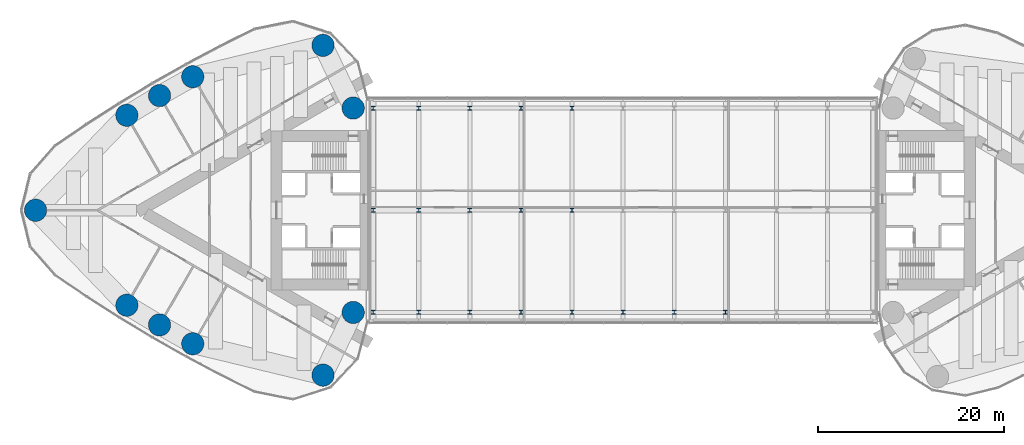
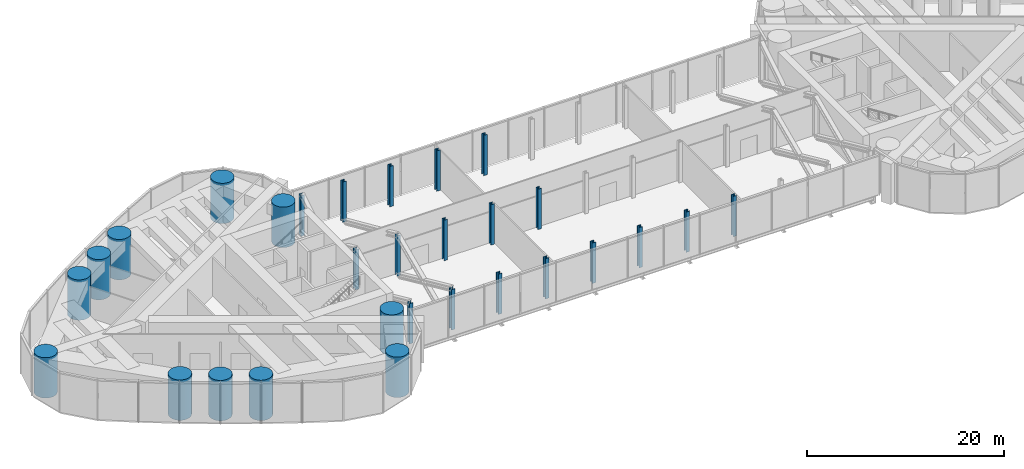
# One storey, part 1 of 19: 29 columns.
"""IFC4 building model written with IfcOpenShell, lengths in metres."""

from ifc_helpers import new_model, si_unit, direction, frame, origin, origin_2d, place, context, subcontext, project, spatial, circle, i_section, extrude, material, material_profile, profile_set, type_object, element, save


model = new_model("IFC4")

# Units and contexts
model_context = context("Model", 3, precision=1e-05, world=origin(), true_north=direction((0.0, 1.0)))
body_context = subcontext(model_context, "Body", "Model", "MODEL_VIEW")
ifc_project = project(units=[si_unit("LENGTHUNIT", "METRE"), si_unit("AREAUNIT", "SQUARE_METRE"), si_unit("VOLUMEUNIT", "CUBIC_METRE"), si_unit("PLANEANGLEUNIT", "RADIAN"), si_unit("MASSUNIT", "GRAM", prefix="KILO")], contexts=[model_context])

# Site, building, storey
site_placement = place(None, origin())
site = spatial("IfcSite", under=ifc_project, at=site_placement, CompositionType="ELEMENT")
building_placement = place(site_placement, origin())
building = spatial("IfcBuilding", under=site, at=building_placement, Name="Lancet Gate Hotel", CompositionType="ELEMENT")
storey_placement = place(building_placement, frame((0.0, 0.0, 263.300048828125)))
storey = spatial("IfcBuildingStorey", under=building, at=storey_placement, Name="L69", CompositionType="ELEMENT", Elevation=263.300048828125)

# Columns
ifc_material_1 = material(Name="Steel S355", Category="steel")
ifc_material_profile_1 = material_profile(ifc_material_1, i_section(OverallWidth=0.412109375, OverallDepth=0.4365234375, WebThickness=0.035888671875, FlangeThickness=0.05810546875, FilletRadius=0.01513671875, at=origin_2d()), Name="UKC 356x406x467")
ifc_profile_set_1 = profile_set([ifc_material_profile_1], Name="Steel S355")
column_type_1 = type_object("IfcColumnType", Name="Block column UKC 356x406x467", PredefinedType="COLUMN", material=ifc_profile_set_1)
for number, where, z_axis, x_axis, name in (
    (1, (-26.89990234375, -11.0, 0.0), (0.0, 0.0, 1.0), (1.0, 0.0, 0.0), "Block column S0 L69"),
    (2, (-22.0, -11.0, 0.0), (0.0, 0.0, 1.0), (1.0, 0.0, 0.0), "Block column S1 L69"),
    (3, (-16.5, -11.0, 0.0), (0.0, 0.0, 1.0), (1.0, 0.0, 0.0), "Block column S2 L69"),
    (4, (-11.0, -11.0, 0.0), (0.0, 0.0, 1.0), (1.0, 0.0, 0.0), "Block column S3 L69"),
    (5, (-5.5, -11.0, 0.0), (0.0, 0.0, 1.0), (1.0, 0.0, 0.0), "Block column S4 L69"),
    (6, (0.0, -11.0, 0.0), (0.0, 0.0, 1.0), (1.0, 0.0, 0.0), "Block column S5 L69"),
    (7, (5.5, -11.0, 0.0), (0.0, 0.0, 1.0), (1.0, 0.0, 0.0), "Block column S6 L69"),
    (8, (11.0, -11.0, 0.0), (0.0, 0.0, 1.0), (1.0, 0.0, 0.0), "Block column S7 L69"),
    (9, (-26.89990234375, 0.0, 0.0), (0.0, 0.0, 1.0), (1.0, 0.0, 0.0), "Block column M0 L69"),
    (10, (-22.0, 0.0, 0.0), (0.0, 0.0, 1.0), (1.0, 0.0, 0.0), "Block column M1 L69"),
    (11, (-16.5, 0.0, 0.0), (0.0, 0.0, 1.0), (1.0, 0.0, 0.0), "Block column M2 L69"),
    (12, (-11.0, 0.0, 0.0), (0.0, 0.0, 1.0), (1.0, 0.0, 0.0), "Block column M3 L69"),
    (13, (-5.5, 0.0, 0.0), (0.0, 0.0, 1.0), (1.0, 0.0, 0.0), "Block column M4 L69"),
    (14, (-26.89990234375, 11.0, 0.0), (0.0, 0.0, 1.0), (1.0, 0.0, 0.0), "Block column N0 L69"),
    (15, (-22.0, 11.0, 0.0), (0.0, 0.0, 1.0), (1.0, 0.0, 0.0), "Block column N1 L69"),
    (16, (-16.5, 11.0, 0.0), (0.0, 0.0, 1.0), (1.0, 0.0, 0.0), "Block column N2 L69"),
    (17, (-11.0, 11.0, 0.0), (0.0, 0.0, 1.0), (1.0, 0.0, 0.0), "Block column N3 L69"),
    (18, (-5.5, 11.0, 0.0), (0.0, 0.0, 1.0), (1.0, 0.0, 0.0), "Block column N4 L69"),
):
    element("IfcColumn", number, at=place(storey_placement, frame(where, z_axis=z_axis, x_axis=x_axis)), inside=storey, type_object=column_type_1, Name=name, PredefinedType="COLUMN", context=body_context, shape_type="SweptSolid", body=[
        extrude(i_section(OverallWidth=0.412109375, OverallDepth=0.4365234375, WebThickness=0.035888671875, FlangeThickness=0.05810546875, FilletRadius=0.01513671875, at=origin_2d()), origin(), (0.0, 0.0, 1.0), 5.0),
    ])
ifc_material_2 = material(Name="Concrete C50/60", Category="concrete")
ifc_material_profile_2 = material_profile(ifc_material_2, circle(Radius=1.199951171875, at=origin_2d()), Name="RC D2400")
ifc_profile_set_2 = profile_set([ifc_material_profile_2], Name="Concrete C50/60")
column_type_2 = type_object("IfcColumnType", Name="Perimeter column RC D2400", PredefinedType="COLUMN", material=ifc_profile_set_2)
for number, where, z_axis, x_axis, name in (
    (19, (-63.234375, 0.0, 0.0), (0.0, 0.0, 1.0), (1.0, 0.0, 0.0), "T1 column CA L69"),
    (20, (-32.301025390625, -17.745361328125, 0.0), (0.0, 0.0, 1.0), (1.0, 0.0, 0.0), "T1 column CN L69"),
    (21, (-32.301025390625, 17.745361328125, 0.0), (0.0, 0.0, 1.0), (1.0, 0.0, 0.0), "T1 column CS L69"),
    (22, (-29.050048828125, -11.0, 0.0), (0.0, 0.0, 1.0), (1.0, 0.0, 0.0), "T1 column IN L69"),
    (23, (-29.050048828125, 11.0, 0.0), (0.0, 0.0, 1.0), (1.0, 0.0, 0.0), "T1 column IS L69"),
    (24, (-53.40771484375, -10.218994140625, 0.0), (0.0, 0.0, 1.0), (1.0, 0.0, 0.0), "T1 column ON1 L69"),
    (25, (-49.89013671875, -12.340087890625, 0.0), (0.0, 0.0, 1.0), (1.0, 0.0, 0.0), "T1 column ON2 L69"),
    (26, (-46.316650390625, -14.365478515625, 0.0), (0.0, 0.0, 1.0), (1.0, 0.0, 0.0), "T1 column ON3 L69"),
    (27, (-46.316650390625, 14.365478515625, 0.0), (0.0, 0.0, 1.0), (1.0, 0.0, 0.0), "T1 column OS1 L69"),
    (28, (-49.89013671875, 12.340087890625, 0.0), (0.0, 0.0, 1.0), (1.0, 0.0, 0.0), "T1 column OS2 L69"),
    (29, (-53.40771484375, 10.218994140625, 0.0), (0.0, 0.0, 1.0), (1.0, 0.0, 0.0), "T1 column OS3 L69"),
):
    element("IfcColumn", number, at=place(storey_placement, frame(where, z_axis=z_axis, x_axis=x_axis)), inside=storey, type_object=column_type_2, Name=name, PredefinedType="COLUMN", context=body_context, shape_type="SweptSolid", body=[
        extrude(circle(Radius=1.199951171875, at=origin_2d()), origin(), (0.0, 0.0, 1.0), 5.0),
    ])

save(model, "model.ifc")
